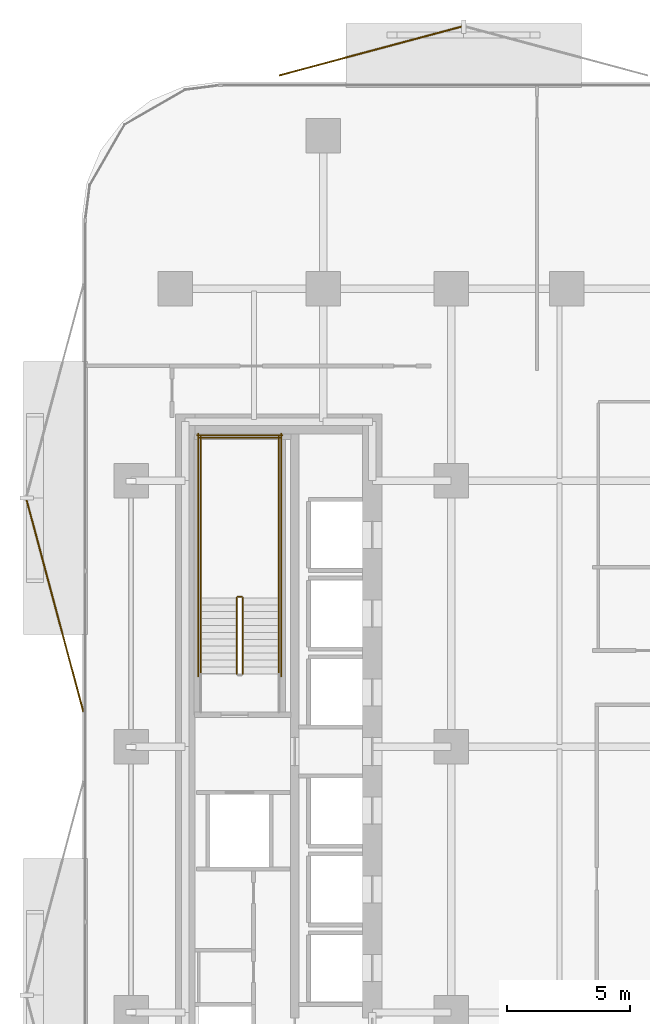
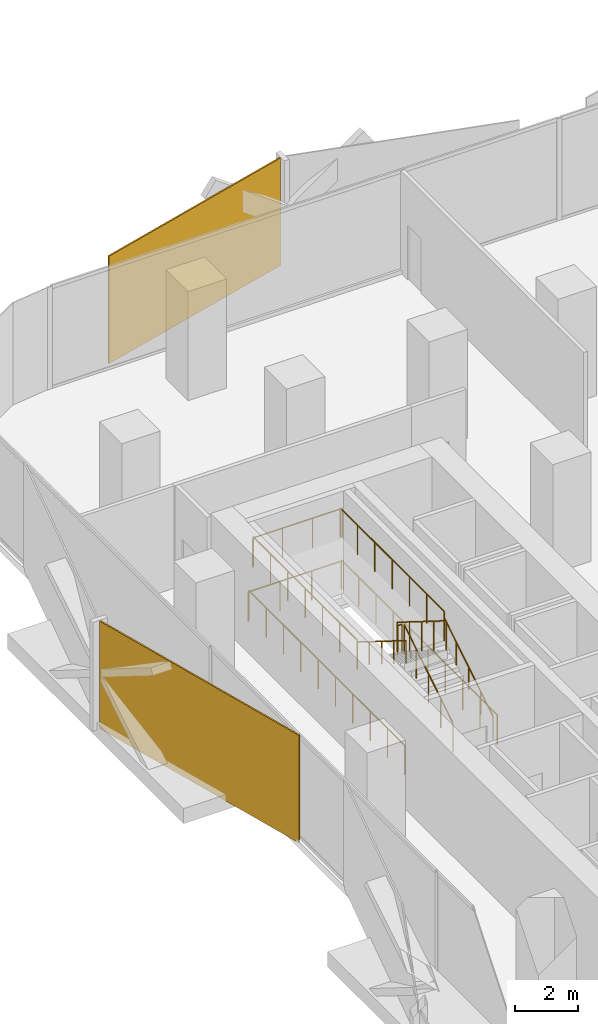
# One storey, part 15 of 16: 11 railings, 2 coverings.
"""IFC4 building model written with IfcOpenShell, lengths in metres."""

from ifc_helpers import new_model, si_unit, direction, frame, origin, origin_2d, place, context, subcontext, project, spatial, rectangle, circle, extrude, material, layer, layer_set, type_object, element, save


model = new_model("IFC4")

# Units and contexts
model_context = context("Model", 3, precision=1e-05, world=origin(), true_north=direction((0.0, 1.0)))
body_context = subcontext(model_context, "Body", "Model", "MODEL_VIEW")
ifc_project = project(units=[si_unit("LENGTHUNIT", "METRE"), si_unit("AREAUNIT", "SQUARE_METRE"), si_unit("VOLUMEUNIT", "CUBIC_METRE"), si_unit("PLANEANGLEUNIT", "RADIAN"), si_unit("MASSUNIT", "GRAM", prefix="KILO")], contexts=[model_context])

# Site, building, storey
site_placement = place(None, origin())
site = spatial("IfcSite", under=ifc_project, at=site_placement, CompositionType="ELEMENT")
building_placement = place(site_placement, origin())
building = spatial("IfcBuilding", under=site, at=building_placement, Name="Khairoan Windgate Tower", CompositionType="ELEMENT")
storey_placement = place(building_placement, frame((0.0, 0.0, 42.800048828125)))
storey = spatial("IfcBuildingStorey", under=building, at=storey_placement, Name="L10", CompositionType="ELEMENT", Elevation=42.800048828125)

# Coverings
ifc_material_1 = material(Name="Anodised Bronze Aluminium 6063-T6", Category="aluminium")
ifc_layer = layer(ifc_material_1, 0.054931640625, Name="Anodised Bronze Aluminium 6063-T6")
ifc_layer_set = layer_set([ifc_layer], Name="Anodised Bronze Aluminium 6063-T6")
covering_type = type_object("IfcCoveringType", Name="Perforated Bronze-Ceramic Folded Solar Screen Cladding BSC-1", PredefinedType="CLADDING", material=ifc_layer_set)
covering_1_placement = place(storey_placement, frame((-25.290283203125, 5.71484375, -0.10009765625), z_axis=(0.0, 0.0, 1.0), x_axis=(-0.258819045103, 0.965925826289, 0.0)))
element("IfcCovering", 1, at=covering_1_placement, inside=storey, type_object=covering_type, Name="L10 Folded Bronze Solar Screen Facet 36L", PredefinedType="CLADDING", context=body_context, shape_type="SweptSolid", body=[
    extrude(rectangle(XDim=8.884033203125, YDim=0.054931640625, at=origin_2d()), origin(), (0.0, 0.0, 1.0), 4.139892578125),
])
covering_2_placement = place(storey_placement, frame((-12.48095703125, 28.249755859375, -0.10009765625), z_axis=(0.0, 0.0, 1.0), x_axis=(0.965925826289, 0.258819045103, 0.0)))
element("IfcCovering", 2, at=covering_2_placement, inside=storey, type_object=covering_type, Name="L10 Folded Bronze Solar Screen Facet 37L", PredefinedType="CLADDING", context=body_context, shape_type="SweptSolid", body=[
    extrude(rectangle(XDim=7.652099609375, YDim=0.054931640625, at=origin_2d()), origin(), (0.0, 0.0, 1.0), 4.139892578125),
])

# Railings
ifc_material_2 = material(Name="Anodised Bronze Aluminium 6063-T6", Category="aluminium")
railing_type_1 = type_object("IfcRailingType", Name="Stair Wall Handrail SHR-900", PredefinedType="HANDRAIL", material=ifc_material_2)
railing_1_placement = place(storey_placement, frame((-16.199951171875, 2.9599609375, 0.175048828125)))
element("IfcRailing", 3, at=railing_1_placement, inside=storey, type_object=railing_type_1, Name="L10 ST2 stair handrail 1", PredefinedType="HANDRAIL", context=body_context, shape_type="SweptSolid", body=[
    extrude(circle(Radius=0.02392578125, at=origin_2d()), frame((0.0, 0.0, 0.8759765625), z_axis=(0.0, 0.848028513186, 0.529950602248), x_axis=(-1.0, 0.0, 0.0)), (0.0, 0.0, 1.0), 3.632080078125),
    extrude(circle(Radius=0.02099609375, at=origin_2d()), origin(), (0.0, 0.0, 1.0), 0.851806640625),
    extrude(circle(Radius=0.02099609375, at=origin_2d()), frame((0.0, 0.77001953125, 0.481201171875)), (0.0, 0.0, 1.0), 0.851806640625),
    extrude(circle(Radius=0.02099609375, at=origin_2d()), frame((0.0, 1.5400390625, 0.96240234375)), (0.0, 0.0, 1.0), 0.851806640625),
    extrude(circle(Radius=0.02099609375, at=origin_2d()), frame((0.0, 2.31005859375, 1.443603515625)), (0.0, 0.0, 1.0), 0.851806640625),
    extrude(circle(Radius=0.02099609375, at=origin_2d()), frame((0.0, 3.080078125, 1.9248046875)), (0.0, 0.0, 1.0), 0.851806640625),
])
railing_2_placement = place(storey_placement, frame((-19.3701171875, 6.0400390625, 2.27490234375)))
element("IfcRailing", 4, at=railing_2_placement, inside=storey, type_object=railing_type_1, Name="L10 ST2 stair handrail 2", PredefinedType="HANDRAIL", context=body_context, shape_type="SweptSolid", body=[
    extrude(circle(Radius=0.02392578125, at=origin_2d()), frame((0.0, 0.0, 0.8759765625), z_axis=(0.0, -0.847998304005, 0.529998940003), x_axis=(1.0, 0.0, 0.0)), (0.0, 0.0, 1.0), 3.632080078125),
    extrude(circle(Radius=0.02099609375, at=origin_2d()), origin(), (0.0, 0.0, 1.0), 0.851806640625),
    extrude(circle(Radius=0.02099609375, at=origin_2d()), frame((0.0, -0.77001953125, 0.481201171875)), (0.0, 0.0, 1.0), 0.851806640625),
    extrude(circle(Radius=0.02099609375, at=origin_2d()), frame((0.0, -1.5400390625, 0.96240234375)), (0.0, 0.0, 1.0), 0.851806640625),
    extrude(circle(Radius=0.02099609375, at=origin_2d()), frame((0.0, -2.31005859375, 1.44384765625)), (0.0, 0.0, 1.0), 0.851806640625),
    extrude(circle(Radius=0.02099609375, at=origin_2d()), frame((0.0, -3.080078125, 1.925048828125)), (0.0, 0.0, 1.0), 0.851806640625),
])
ifc_material_3 = material(Name="Steel S355", Category="steel")
railing_type_2 = type_object("IfcRailingType", Name="Stairwell Safety Guardrail SGR-1150", PredefinedType="GUARDRAIL", material=ifc_material_3)
railing_3_placement = place(storey_placement, frame((-17.659912109375, 2.9599609375, 0.175048828125)))
element("IfcRailing", 5, at=railing_3_placement, inside=storey, type_object=railing_type_2, Name="L10 ST2 stair guard 1", PredefinedType="GUARDRAIL", context=body_context, shape_type="SweptSolid", body=[
    extrude(circle(Radius=0.02392578125, at=origin_2d()), frame((0.0, 0.0, 1.1259765625), z_axis=(0.0, 0.848028513186, 0.529950602248), x_axis=(-1.0, 0.0, 0.0)), (0.0, 0.0, 1.0), 3.632080078125),
    extrude(circle(Radius=0.02099609375, at=origin_2d()), origin(), (0.0, 0.0, 1.0), 1.101806640625),
    extrude(circle(Radius=0.02099609375, at=origin_2d()), frame((0.0, 0.77001953125, 0.481201171875)), (0.0, 0.0, 1.0), 1.101806640625),
    extrude(circle(Radius=0.02099609375, at=origin_2d()), frame((0.0, 1.5400390625, 0.96240234375)), (0.0, 0.0, 1.0), 1.101806640625),
    extrude(circle(Radius=0.02099609375, at=origin_2d()), frame((0.0, 2.31005859375, 1.443603515625)), (0.0, 0.0, 1.0), 1.101806640625),
    extrude(circle(Radius=0.02099609375, at=origin_2d()), frame((0.0, 3.080078125, 1.9248046875)), (0.0, 0.0, 1.0), 1.101806640625),
])
railing_4_placement = place(storey_placement, frame((-17.7099609375, 6.090087890625, 2.099853515625)))
element("IfcRailing", 6, at=railing_4_placement, inside=storey, type_object=railing_type_2, Name="L10 ST2 stair guard 2", PredefinedType="GUARDRAIL", context=body_context, shape_type="SweptSolid", body=[
    extrude(circle(Radius=0.02392578125, at=origin_2d()), frame((0.0, 0.0, 1.1259765625), z_axis=(-1.0, 0.0, 0.0), x_axis=(0.0, -1.0, 0.0)), (0.0, 0.0, 1.0), 0.150146484375),
    extrude(circle(Radius=0.02099609375, at=origin_2d()), origin(), (0.0, 0.0, 1.0), 1.101806640625),
    extrude(circle(Radius=0.02099609375, at=origin_2d()), frame((-0.150146484375, 0.0, 0.0)), (0.0, 0.0, 1.0), 1.101806640625),
])
for number, where, name in (
    (7, (-16.199951171875, 6.0400390625, 2.099853515625), "L10 ST2 stair guard 3"),
    (8, (-19.3701171875, 6.0400390625, 2.099853515625), "L10 ST2 stair guard 4"),
):
    element("IfcRailing", number, at=place(storey_placement, frame(where)), inside=storey, type_object=railing_type_2, Name=name, PredefinedType="GUARDRAIL", context=body_context, shape_type="SweptSolid", body=[
        extrude(circle(Radius=0.02392578125, at=origin_2d()), frame((0.0, 0.0, 1.1259765625), z_axis=(0.0, 1.0, 0.0), x_axis=(-1.0, 0.0, 0.0)), (0.0, 0.0, 1.0), 6.56005859375),
        extrude(circle(Radius=0.02099609375, at=origin_2d()), origin(), (0.0, 0.0, 1.0), 1.101806640625),
        extrude(circle(Radius=0.02099609375, at=origin_2d()), frame((0.0, 1.09326171875, 0.0)), (0.0, 0.0, 1.0), 1.101806640625),
        extrude(circle(Radius=0.02099609375, at=origin_2d()), frame((0.0, 2.186767578125, 0.0)), (0.0, 0.0, 1.0), 1.101806640625),
        extrude(circle(Radius=0.02099609375, at=origin_2d()), frame((0.0, 3.280029296875, 0.0)), (0.0, 0.0, 1.0), 1.101806640625),
        extrude(circle(Radius=0.02099609375, at=origin_2d()), frame((0.0, 4.373291015625, 0.0)), (0.0, 0.0, 1.0), 1.101806640625),
        extrude(circle(Radius=0.02099609375, at=origin_2d()), frame((0.0, 5.466796875, 0.0)), (0.0, 0.0, 1.0), 1.101806640625),
        extrude(circle(Radius=0.02099609375, at=origin_2d()), frame((0.0, 6.56005859375, 0.0)), (0.0, 0.0, 1.0), 1.101806640625),
    ])
railing_5_placement = place(storey_placement, frame((-16.14990234375, 12.550048828125, 2.099853515625)))
element("IfcRailing", 9, at=railing_5_placement, inside=storey, type_object=railing_type_2, Name="L10 ST2 stair guard 5", PredefinedType="GUARDRAIL", context=body_context, shape_type="SweptSolid", body=[
    extrude(circle(Radius=0.02392578125, at=origin_2d()), frame((0.0, 0.0, 1.1259765625), z_axis=(-1.0, 0.0, 0.0), x_axis=(0.0, -1.0, 0.0)), (0.0, 0.0, 1.0), 3.27001953125),
    extrude(circle(Radius=0.02099609375, at=origin_2d()), origin(), (0.0, 0.0, 1.0), 1.101806640625),
    extrude(circle(Radius=0.02099609375, at=origin_2d()), frame((-1.090087890625, 0.0, 0.0)), (0.0, 0.0, 1.0), 1.101806640625),
    extrude(circle(Radius=0.02099609375, at=origin_2d()), frame((-2.179931640625, 0.0, 0.0)), (0.0, 0.0, 1.0), 1.101806640625),
    extrude(circle(Radius=0.02099609375, at=origin_2d()), frame((-3.27001953125, 0.0, 0.0)), (0.0, 0.0, 1.0), 1.101806640625),
])
railing_6_placement = place(storey_placement, frame((-17.909912109375, 6.0400390625, 2.27490234375)))
element("IfcRailing", 10, at=railing_6_placement, inside=storey, type_object=railing_type_2, Name="L10 ST2 stair guard 6", PredefinedType="GUARDRAIL", context=body_context, shape_type="SweptSolid", body=[
    extrude(circle(Radius=0.02392578125, at=origin_2d()), frame((0.0, 0.0, 1.1259765625), z_axis=(0.0, -0.847998304005, 0.529998940003), x_axis=(1.0, 0.0, 0.0)), (0.0, 0.0, 1.0), 3.632080078125),
    extrude(circle(Radius=0.02099609375, at=origin_2d()), origin(), (0.0, 0.0, 1.0), 1.101806640625),
    extrude(circle(Radius=0.02099609375, at=origin_2d()), frame((0.0, -0.77001953125, 0.481201171875)), (0.0, 0.0, 1.0), 1.101806640625),
    extrude(circle(Radius=0.02099609375, at=origin_2d()), frame((0.0, -1.5400390625, 0.96240234375)), (0.0, 0.0, 1.0), 1.101806640625),
    extrude(circle(Radius=0.02099609375, at=origin_2d()), frame((0.0, -2.31005859375, 1.44384765625)), (0.0, 0.0, 1.0), 1.101806640625),
    extrude(circle(Radius=0.02099609375, at=origin_2d()), frame((0.0, -3.080078125, 1.925048828125)), (0.0, 0.0, 1.0), 1.101806640625),
])
for number, where, name in (
    (11, (-16.10009765625, 2.860107421875, 0.0), "L10 ST2 stair guard 10"),
    (12, (-19.469970703125, 2.860107421875, 0.0), "L10 ST2 stair guard 11"),
):
    element("IfcRailing", number, at=place(storey_placement, frame(where)), inside=storey, type_object=railing_type_2, Name=name, PredefinedType="GUARDRAIL", context=body_context, shape_type="SweptSolid", body=[
        extrude(circle(Radius=0.02392578125, at=origin_2d()), frame((0.0, 0.0, 1.1259765625), z_axis=(0.0, 1.0, 0.0), x_axis=(-1.0, 0.0, 0.0)), (0.0, 0.0, 1.0), 9.83984375),
        extrude(circle(Radius=0.02099609375, at=origin_2d()), origin(), (0.0, 0.0, 1.0), 1.101806640625),
        extrude(circle(Radius=0.02099609375, at=origin_2d()), frame((0.0, 1.09326171875, 0.0)), (0.0, 0.0, 1.0), 1.101806640625),
        extrude(circle(Radius=0.02099609375, at=origin_2d()), frame((0.0, 2.1865234375, 0.0)), (0.0, 0.0, 1.0), 1.101806640625),
        extrude(circle(Radius=0.02099609375, at=origin_2d()), frame((0.0, 3.280029296875, 0.0)), (0.0, 0.0, 1.0), 1.101806640625),
        extrude(circle(Radius=0.02099609375, at=origin_2d()), frame((0.0, 4.373291015625, 0.0)), (0.0, 0.0, 1.0), 1.101806640625),
        extrude(circle(Radius=0.02099609375, at=origin_2d()), frame((0.0, 5.466552734375, 0.0)), (0.0, 0.0, 1.0), 1.101806640625),
        extrude(circle(Radius=0.02099609375, at=origin_2d()), frame((0.0, 6.559814453125, 0.0)), (0.0, 0.0, 1.0), 1.101806640625),
        extrude(circle(Radius=0.02099609375, at=origin_2d()), frame((0.0, 7.6533203125, 0.0)), (0.0, 0.0, 1.0), 1.101806640625),
        extrude(circle(Radius=0.02099609375, at=origin_2d()), frame((0.0, 8.74658203125, 0.0)), (0.0, 0.0, 1.0), 1.101806640625),
        extrude(circle(Radius=0.02099609375, at=origin_2d()), frame((0.0, 9.83984375, 0.0)), (0.0, 0.0, 1.0), 1.101806640625),
    ])
railing_7_placement = place(storey_placement, frame((-16.050048828125, 12.64990234375, 0.0)))
element("IfcRailing", 13, at=railing_7_placement, inside=storey, type_object=railing_type_2, Name="L10 ST2 stair guard 12", PredefinedType="GUARDRAIL", context=body_context, shape_type="SweptSolid", body=[
    extrude(circle(Radius=0.02392578125, at=origin_2d()), frame((0.0, 0.0, 1.1259765625), z_axis=(-1.0, 0.0, 0.0), x_axis=(0.0, -1.0, 0.0)), (0.0, 0.0, 1.0), 3.469970703125),
    extrude(circle(Radius=0.02099609375, at=origin_2d()), origin(), (0.0, 0.0, 1.0), 1.101806640625),
    extrude(circle(Radius=0.02099609375, at=origin_2d()), frame((-1.15673828125, 0.0, 0.0)), (0.0, 0.0, 1.0), 1.101806640625),
    extrude(circle(Radius=0.02099609375, at=origin_2d()), frame((-2.313232421875, 0.0, 0.0)), (0.0, 0.0, 1.0), 1.101806640625),
    extrude(circle(Radius=0.02099609375, at=origin_2d()), frame((-3.469970703125, 0.0, 0.0)), (0.0, 0.0, 1.0), 1.101806640625),
])

save(model, "model.ifc")
